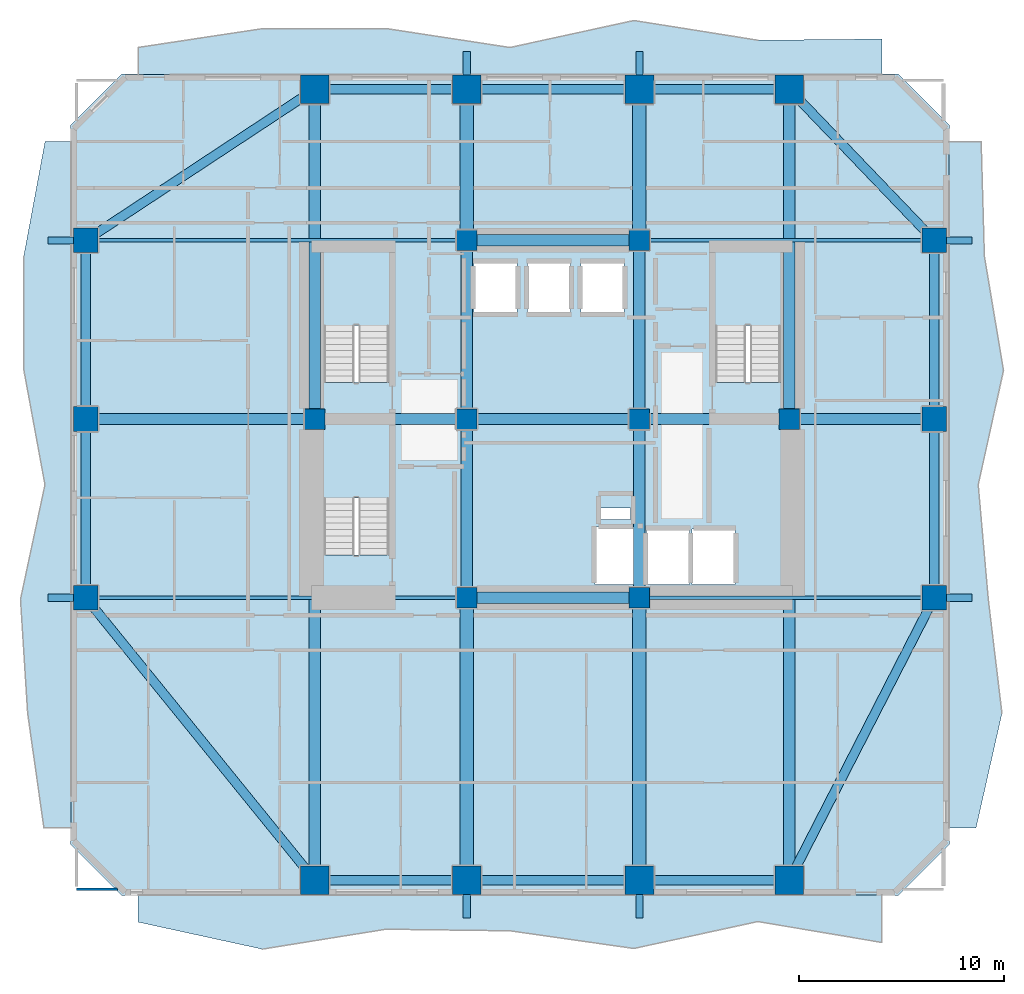
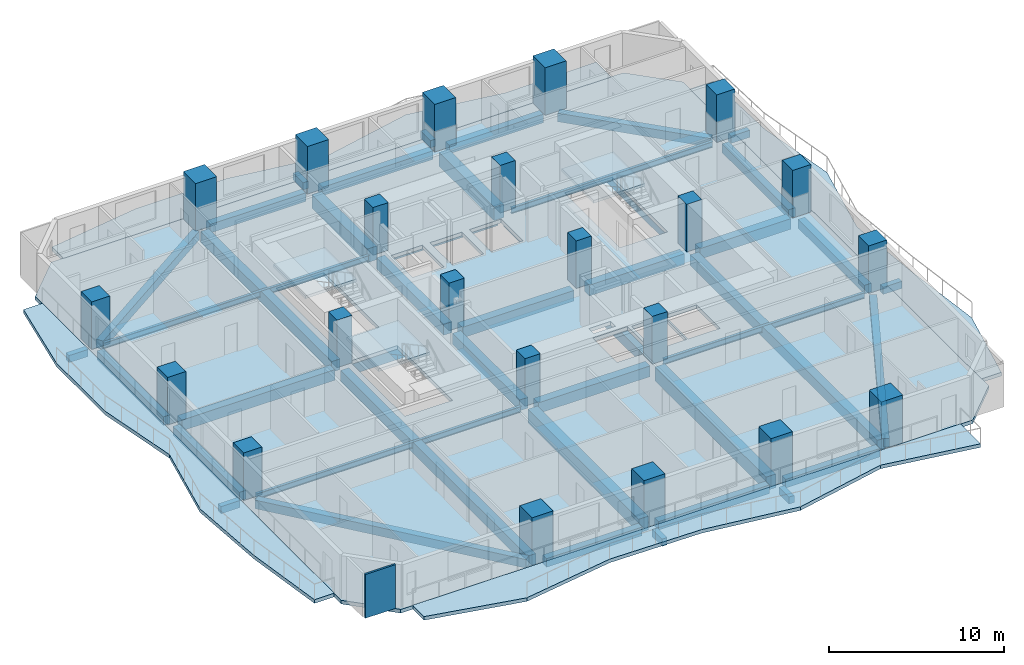
# One storey, part 1 of 11: 45 beams, 22 columns, 8 slabs, 1 wall, 3 elements without a shape of their own.
"""IFC4 building model written with IfcOpenShell, lengths in metres."""

from ifc_helpers import new_model, si_unit, direction, frame, frame_2d, origin, origin_2d, place, context, subcontext, project, spatial, polyline, rectangle, i_section, outline, extrude, material, layer, layer_set, material_profile, profile_set, type_object, element, aggregate, save


model = new_model("IFC4")

# Units and contexts
model_context = context("Model", 3, precision=1e-05, world=origin(), true_north=direction((0.0, 1.0)))
body_context = subcontext(model_context, "Body", "Model", "MODEL_VIEW")
ifc_project = project(units=[si_unit("LENGTHUNIT", "METRE"), si_unit("AREAUNIT", "SQUARE_METRE"), si_unit("VOLUMEUNIT", "CUBIC_METRE"), si_unit("PLANEANGLEUNIT", "RADIAN"), si_unit("MASSUNIT", "GRAM", prefix="KILO")], contexts=[model_context])

# Site, building, storey
site_placement = place(None, origin())
site = spatial("IfcSite", under=ifc_project, at=site_placement, CompositionType="ELEMENT")
building_placement = place(site_placement, origin())
building = spatial("IfcBuilding", under=site, at=building_placement, Name="Solanera Arch Residences", CompositionType="ELEMENT")
storey_placement = place(building_placement, frame((0.0, 0.0, 28.639892578125)))
storey = spatial("IfcBuildingStorey", under=building, at=storey_placement, Name="L07", CompositionType="ELEMENT", Elevation=28.639892578125)

# Columns
ifc_material_1 = material(Name="Concrete C55/67 (f'c = 60 MPa)", Category="concrete")
ifc_material_profile_1 = material_profile(ifc_material_1, rectangle(XDim=1.0, YDim=1.0, at=origin_2d()))
ifc_profile_set_1 = profile_set([ifc_material_profile_1], Name="Concrete C55/67 (f'c = 60 MPa)")
column_type_1 = type_object("IfcColumnType", Name="Structural Column RC-COL-1000X1000", PredefinedType="COLUMN", material=ifc_profile_set_1)
for number, where, z_axis, x_axis, name in (
    (1, (20.800048828125, 22.0, 0.0), (0.0, 0.0, 1.0), (1.0, 0.0, 0.0), "COL-L07-CB-SW"),
    (2, (29.199951171875, 22.0, 0.0), (0.0, 0.0, 1.0), (1.0, 0.0, 0.0), "COL-L07-CB-SE"),
    (3, (20.800048828125, 39.39990234375, 0.0), (0.0, 0.0, 1.0), (1.0, 0.0, 0.0), "COL-L07-CB-NW"),
    (4, (29.199951171875, 39.39990234375, 0.0), (0.0, 0.0, 1.0), (1.0, 0.0, 0.0), "COL-L07-CB-NE"),
    (5, (13.39990234375, 30.699951171875, 0.0), (0.0, 0.0, 1.0), (1.0, 0.0, 0.0), "COL-L07-CB-WW"),
    (6, (36.5, 30.699951171875, 0.0), (0.0, 0.0, 1.0), (1.0, 0.0, 0.0), "COL-L07-CB-EE"),
    (7, (20.800048828125, 30.699951171875, 0.0), (0.0, 0.0, 1.0), (1.0, 0.0, 0.0), "COL-L07-CORE-W"),
    (8, (29.199951171875, 30.699951171875, 0.0), (0.0, 0.0, 1.0), (1.0, 0.0, 0.0), "COL-L07-CORE-E"),
):
    element("IfcColumn", number, at=place(storey_placement, frame(where, z_axis=z_axis, x_axis=x_axis)), inside=storey, type_object=column_type_1, Name=name, PredefinedType="COLUMN", context=body_context, shape_type="SweptSolid", body=[
        extrude(rectangle(XDim=1.0, YDim=1.0, at=origin_2d()), origin(), (0.0, 0.0, 1.0), 3.320068359375),
    ])
ifc_material_2 = material(Name="Concrete C55/67 (f'c = 60 MPa)", Category="concrete")
ifc_material_profile_2 = material_profile(ifc_material_2, rectangle(XDim=1.199951171875, YDim=1.199951171875, at=origin_2d()))
ifc_profile_set_2 = profile_set([ifc_material_profile_2], Name="Concrete C55/67 (f'c = 60 MPa)")
column_type_2 = type_object("IfcColumnType", Name="Structural Column RC-COL-1200X1200", PredefinedType="COLUMN", material=ifc_profile_set_2)
for number, where, z_axis, x_axis, name in (
    (9, (2.25, 22.0, 0.0), (0.0, 0.0, 1.0), (1.0, 0.0, 0.0), "COL-L07-TWR-09"),
    (10, (43.550048828125, 22.0, 0.0), (0.0, 0.0, 1.0), (1.0, 0.0, 0.0), "COL-L07-TWR-10"),
    (11, (2.25, 30.699951171875, 0.0), (0.0, 0.0, 1.0), (1.0, 0.0, 0.0), "COL-L07-TWR-11"),
    (12, (43.550048828125, 30.699951171875, 0.0), (0.0, 0.0, 1.0), (1.0, 0.0, 0.0), "COL-L07-TWR-12"),
    (13, (2.25, 39.39990234375, 0.0), (0.0, 0.0, 1.0), (1.0, 0.0, 0.0), "COL-L07-TWR-13"),
    (14, (43.550048828125, 39.39990234375, 0.0), (0.0, 0.0, 1.0), (1.0, 0.0, 0.0), "COL-L07-TWR-14"),
):
    element("IfcColumn", number, at=place(storey_placement, frame(where, z_axis=z_axis, x_axis=x_axis)), inside=storey, type_object=column_type_2, Name=name, PredefinedType="COLUMN", context=body_context, shape_type="SweptSolid", body=[
        extrude(rectangle(XDim=1.199951171875, YDim=1.199951171875, at=origin_2d()), origin(), (0.0, 0.0, 1.0), 3.320068359375),
    ])
ifc_material_3 = material(Name="Concrete C55/67 (f'c = 60 MPa)", Category="concrete")
ifc_material_profile_3 = material_profile(ifc_material_3, rectangle(XDim=1.39990234375, YDim=1.39990234375, at=origin_2d()))
ifc_profile_set_3 = profile_set([ifc_material_profile_3], Name="Concrete C55/67 (f'c = 60 MPa)")
column_type_3 = type_object("IfcColumnType", Name="Structural Column RC-COL-1400X1400", PredefinedType="COLUMN", material=ifc_profile_set_3)
for number, where, z_axis, x_axis, name in (
    (15, (13.39990234375, 8.25, 0.0), (0.0, 0.0, 1.0), (1.0, 0.0, 0.0), "COL-L07-TWR-01"),
    (16, (13.39990234375, 46.75, 0.0), (0.0, 0.0, 1.0), (1.0, 0.0, 0.0), "COL-L07-TWR-02"),
    (17, (20.800048828125, 8.25, 0.0), (0.0, 0.0, 1.0), (1.0, 0.0, 0.0), "COL-L07-TWR-03"),
    (18, (20.800048828125, 46.75, 0.0), (0.0, 0.0, 1.0), (1.0, 0.0, 0.0), "COL-L07-TWR-04"),
    (19, (29.199951171875, 8.25, 0.0), (0.0, 0.0, 1.0), (1.0, 0.0, 0.0), "COL-L07-TWR-05"),
    (20, (29.199951171875, 46.75, 0.0), (0.0, 0.0, 1.0), (1.0, 0.0, 0.0), "COL-L07-TWR-06"),
    (21, (36.5, 8.25, 0.0), (0.0, 0.0, 1.0), (1.0, 0.0, 0.0), "COL-L07-TWR-07"),
    (22, (36.5, 46.75, 0.0), (0.0, 0.0, 1.0), (1.0, 0.0, 0.0), "COL-L07-TWR-08"),
):
    element("IfcColumn", number, at=place(storey_placement, frame(where, z_axis=z_axis, x_axis=x_axis)), inside=storey, type_object=column_type_3, Name=name, PredefinedType="COLUMN", context=body_context, shape_type="SweptSolid", body=[
        extrude(rectangle(XDim=1.39990234375, YDim=1.39990234375, at=origin_2d()), origin(), (0.0, 0.0, 1.0), 3.320068359375),
    ])

# Beams
ifc_material_4 = material(Name="Concrete C40/50 (f'c = 45 MPa)", Category="concrete")
ifc_material_profile_4 = material_profile(ifc_material_4, rectangle(XDim=0.35009765625, YDim=0.5, at=origin_2d()))
ifc_profile_set_4 = profile_set([ifc_material_profile_4], Name="Concrete C40/50 (f'c = 45 MPa)")
beam_type_1 = type_object("IfcBeamType", Name="BM-BALC-RIB", PredefinedType="BEAM", material=ifc_profile_set_4)
for number, where, z_axis, x_axis, name in (
    (23, (20.800048828125, 6.39990234375, -0.5), (0.0, 1.0, 0.0), (-1.0, 0.0, 0.0), "BM-L07-BRIB-S1"),
    (24, (29.199951171875, 6.39990234375, -0.5), (0.0, 1.0, 0.0), (-1.0, 0.0, 0.0), "BM-L07-BRIB-S2"),
    (25, (20.800048828125, 47.449951171875, -0.5), (0.0, 1.0, 0.0), (-1.0, 0.0, 0.0), "BM-L07-BRIB-N1"),
    (26, (29.199951171875, 47.449951171875, -0.5), (0.0, 1.0, 0.0), (-1.0, 0.0, 0.0), "BM-L07-BRIB-N2"),
):
    element("IfcBeam", number, at=place(storey_placement, frame(where, z_axis=z_axis, x_axis=x_axis)), inside=storey, type_object=beam_type_1, Name=name, PredefinedType="BEAM", context=body_context, shape_type="SweptSolid", body=[
        extrude(rectangle(XDim=0.35009765625, YDim=0.5, at=origin_2d()), origin(), (0.0, 0.0, 1.0), 1.150146484375),
    ])
for number, where, z_axis, x_axis, name in (
    (27, (44.14990234375, 22.0, -0.5), (1.0, 0.0, 0.0), (0.0, 1.0, 0.0), "BM-L07-BRIB-E1"),
    (28, (44.14990234375, 39.39990234375, -0.5), (1.0, 0.0, 0.0), (0.0, 1.0, 0.0), "BM-L07-BRIB-E2"),
    (29, (0.39990234375, 22.0, -0.5), (1.0, 0.0, 0.0), (0.0, 1.0, 0.0), "BM-L07-BRIB-W1"),
    (30, (0.39990234375, 39.39990234375, -0.5), (1.0, 0.0, 0.0), (0.0, 1.0, 0.0), "BM-L07-BRIB-W2"),
):
    element("IfcBeam", number, at=place(storey_placement, frame(where, z_axis=z_axis, x_axis=x_axis)), inside=storey, type_object=beam_type_1, Name=name, PredefinedType="BEAM", context=body_context, shape_type="SweptSolid", body=[
        extrude(rectangle(XDim=0.35009765625, YDim=0.5, at=origin_2d()), origin(), (0.0, 0.0, 1.0), 1.25),
    ])
ifc_material_5 = material(Name="Concrete C40/50 (f'c = 45 MPa)", Category="concrete")
ifc_material_profile_5 = material_profile(ifc_material_5, rectangle(XDim=0.550048828125, YDim=0.75, at=origin_2d()))
ifc_profile_set_5 = profile_set([ifc_material_profile_5], Name="Concrete C40/50 (f'c = 45 MPa)")
beam_type_2 = type_object("IfcBeamType", Name="Primary Beam RC-BM-550X750", PredefinedType="BEAM", material=ifc_profile_set_5)
beam_1_placement = place(storey_placement, frame((20.800048828125, 22.50390625, -0.635009765625), z_axis=(0.0, 1.0, 0.0), x_axis=(-1.0, 0.0, 0.0)))
element("IfcBeam", 31, at=beam_1_placement, inside=storey, type_object=beam_type_2, Name="BM-L07-CC-S-208", PredefinedType="BEAM", context=body_context, shape_type="SweptSolid", body=[
    extrude(rectangle(XDim=0.550048828125, YDim=0.75, at=origin_2d()), origin(), (0.0, 0.0, 1.0), 7.692138671875),
])
beam_2_placement = place(storey_placement, frame((20.800048828125, 31.2041015625, -0.635009765625), z_axis=(0.0, 1.0, 0.0), x_axis=(-1.0, 0.0, 0.0)))
element("IfcBeam", 32, at=beam_2_placement, inside=storey, type_object=beam_type_2, Name="BM-L07-CC-N-208", PredefinedType="BEAM", context=body_context, shape_type="SweptSolid", body=[
    extrude(rectangle(XDim=0.550048828125, YDim=0.75, at=origin_2d()), origin(), (0.0, 0.0, 1.0), 7.69189453125),
])
beam_3_placement = place(storey_placement, frame((29.199951171875, 22.50390625, -0.635009765625), z_axis=(0.0, 1.0, 0.0), x_axis=(-1.0, 0.0, 0.0)))
element("IfcBeam", 33, at=beam_3_placement, inside=storey, type_object=beam_type_2, Name="BM-L07-CC-S-292", PredefinedType="BEAM", context=body_context, shape_type="SweptSolid", body=[
    extrude(rectangle(XDim=0.550048828125, YDim=0.75, at=origin_2d()), origin(), (0.0, 0.0, 1.0), 7.692138671875),
])
beam_4_placement = place(storey_placement, frame((29.199951171875, 31.2041015625, -0.635009765625), z_axis=(0.0, 1.0, 0.0), x_axis=(-1.0, 0.0, 0.0)))
element("IfcBeam", 34, at=beam_4_placement, inside=storey, type_object=beam_type_2, Name="BM-L07-CC-N-292", PredefinedType="BEAM", context=body_context, shape_type="SweptSolid", body=[
    extrude(rectangle(XDim=0.550048828125, YDim=0.75, at=origin_2d()), origin(), (0.0, 0.0, 1.0), 7.69189453125),
])
for number, where, z_axis, x_axis, name in (
    (35, (21.303955078125, 22.0, -0.635009765625), (1.0, 0.0, 0.0), (0.0, 1.0, 0.0), "BM-L07-CC-M-220"),
    (36, (21.303955078125, 30.699951171875, -0.635009765625), (1.0, 0.0, 0.0), (0.0, 1.0, 0.0), "BM-L07-CC-M-307"),
    (37, (21.303955078125, 39.39990234375, -0.635009765625), (1.0, 0.0, 0.0), (0.0, 1.0, 0.0), "BM-L07-CC-M-394"),
):
    element("IfcBeam", number, at=place(storey_placement, frame(where, z_axis=z_axis, x_axis=x_axis)), inside=storey, type_object=beam_type_2, Name=name, PredefinedType="BEAM", context=body_context, shape_type="SweptSolid", body=[
        extrude(rectangle(XDim=0.550048828125, YDim=0.75, at=origin_2d()), origin(), (0.0, 0.0, 1.0), 7.39208984375),
    ])
beam_5_placement = place(storey_placement, frame((13.904052734375, 30.699951171875, -0.635009765625), z_axis=(1.0, 0.0, 0.0), x_axis=(0.0, 1.0, 0.0)))
element("IfcBeam", 38, at=beam_5_placement, inside=storey, type_object=beam_type_2, Name="BM-L07-CC-W", PredefinedType="BEAM", context=body_context, shape_type="SweptSolid", body=[
    extrude(rectangle(XDim=0.550048828125, YDim=0.75, at=origin_2d()), origin(), (0.0, 0.0, 1.0), 6.391845703125),
])
beam_6_placement = place(storey_placement, frame((29.7041015625, 30.699951171875, -0.635009765625), z_axis=(1.0, 0.0, 0.0), x_axis=(0.0, 1.0, 0.0)))
element("IfcBeam", 39, at=beam_6_placement, inside=storey, type_object=beam_type_2, Name="BM-L07-CC-E", PredefinedType="BEAM", context=body_context, shape_type="SweptSolid", body=[
    extrude(rectangle(XDim=0.550048828125, YDim=0.75, at=origin_2d()), origin(), (0.0, 0.0, 1.0), 6.2919921875),
])
beam_7_placement = place(storey_placement, frame((13.39990234375, 8.7900390625, -0.635009765625), z_axis=(0.0, 1.0, 0.0), x_axis=(-1.0, 0.0, 0.0)))
element("IfcBeam", 40, at=beam_7_placement, inside=storey, type_object=beam_type_2, Name="BM-L07-RAD-OS-134", PredefinedType="BEAM", context=body_context, shape_type="SweptSolid", body=[
    extrude(rectangle(XDim=0.550048828125, YDim=0.75, at=origin_2d()), origin(), (0.0, 0.0, 1.0), 21.406005859375),
])
beam_8_placement = place(storey_placement, frame((13.39990234375, 31.2041015625, -0.635009765625), z_axis=(0.0, 1.0, 0.0), x_axis=(-1.0, 0.0, 0.0)))
element("IfcBeam", 41, at=beam_8_placement, inside=storey, type_object=beam_type_2, Name="BM-L07-RAD-ON-134", PredefinedType="BEAM", context=body_context, shape_type="SweptSolid", body=[
    extrude(rectangle(XDim=0.550048828125, YDim=0.75, at=origin_2d()), origin(), (0.0, 0.0, 1.0), 15.005859375),
])
beam_9_placement = place(storey_placement, frame((36.5, 8.7900390625, -0.635009765625), z_axis=(0.0, 1.0, 0.0), x_axis=(-1.0, 0.0, 0.0)))
element("IfcBeam", 42, at=beam_9_placement, inside=storey, type_object=beam_type_2, Name="BM-L07-RAD-OS-365", PredefinedType="BEAM", context=body_context, shape_type="SweptSolid", body=[
    extrude(rectangle(XDim=0.550048828125, YDim=0.75, at=origin_2d()), origin(), (0.0, 0.0, 1.0), 21.406005859375),
])
beam_10_placement = place(storey_placement, frame((36.5, 31.2041015625, -0.635009765625), z_axis=(0.0, 1.0, 0.0), x_axis=(-1.0, 0.0, 0.0)))
element("IfcBeam", 43, at=beam_10_placement, inside=storey, type_object=beam_type_2, Name="BM-L07-RAD-ON-365", PredefinedType="BEAM", context=body_context, shape_type="SweptSolid", body=[
    extrude(rectangle(XDim=0.550048828125, YDim=0.75, at=origin_2d()), origin(), (0.0, 0.0, 1.0), 15.005859375),
])
beam_11_placement = place(storey_placement, frame((2.7900390625, 30.699951171875, -0.635009765625), z_axis=(1.0, 0.0, 0.0), x_axis=(0.0, 1.0, 0.0)))
element("IfcBeam", 44, at=beam_11_placement, inside=storey, type_object=beam_type_2, Name="BM-L07-RAD-MW", PredefinedType="BEAM", context=body_context, shape_type="SweptSolid", body=[
    extrude(rectangle(XDim=0.550048828125, YDim=0.75, at=origin_2d()), origin(), (0.0, 0.0, 1.0), 10.10595703125),
])
beam_12_placement = place(storey_placement, frame((37.00390625, 30.699951171875, -0.635009765625), z_axis=(1.0, 0.0, 0.0), x_axis=(0.0, 1.0, 0.0)))
element("IfcBeam", 45, at=beam_12_placement, inside=storey, type_object=beam_type_2, Name="BM-L07-RAD-ME", PredefinedType="BEAM", context=body_context, shape_type="SweptSolid", body=[
    extrude(rectangle(XDim=0.550048828125, YDim=0.75, at=origin_2d()), origin(), (0.0, 0.0, 1.0), 6.006103515625),
])
ifc_material_6 = material(Name="Concrete C40/50 (f'c = 45 MPa)", Category="concrete")
ifc_material_profile_6 = material_profile(ifc_material_6, rectangle(XDim=0.64990234375, YDim=0.949951171875, at=origin_2d()))
ifc_profile_set_6 = profile_set([ifc_material_profile_6], Name="Concrete C40/50 (f'c = 45 MPa)")
beam_type_3 = type_object("IfcBeamType", Name="Primary Beam RC-BM-650X950", PredefinedType="BEAM", material=ifc_profile_set_6)
beam_13_placement = place(storey_placement, frame((20.800048828125, 8.7900390625, -0.73486328125), z_axis=(0.0, 1.0, 0.0), x_axis=(-1.0, 0.0, 0.0)))
element("IfcBeam", 46, at=beam_13_placement, inside=storey, type_object=beam_type_3, Name="BM-L07-RAD-S-208", PredefinedType="BEAM", context=body_context, shape_type="SweptSolid", body=[
    extrude(rectangle(XDim=0.64990234375, YDim=0.949951171875, at=origin_2d()), origin(), (0.0, 0.0, 1.0), 12.7060546875),
])
beam_14_placement = place(storey_placement, frame((20.800048828125, 39.904052734375, -0.73486328125), z_axis=(0.0, 1.0, 0.0), x_axis=(-1.0, 0.0, 0.0)))
element("IfcBeam", 47, at=beam_14_placement, inside=storey, type_object=beam_type_3, Name="BM-L07-RAD-N-208", PredefinedType="BEAM", context=body_context, shape_type="SweptSolid", body=[
    extrude(rectangle(XDim=0.64990234375, YDim=0.949951171875, at=origin_2d()), origin(), (0.0, 0.0, 1.0), 6.305908203125),
])
beam_15_placement = place(storey_placement, frame((29.199951171875, 8.7900390625, -0.73486328125), z_axis=(0.0, 1.0, 0.0), x_axis=(-1.0, 0.0, 0.0)))
element("IfcBeam", 48, at=beam_15_placement, inside=storey, type_object=beam_type_3, Name="BM-L07-RAD-S-292", PredefinedType="BEAM", context=body_context, shape_type="SweptSolid", body=[
    extrude(rectangle(XDim=0.64990234375, YDim=0.949951171875, at=origin_2d()), origin(), (0.0, 0.0, 1.0), 12.7060546875),
])
beam_16_placement = place(storey_placement, frame((29.199951171875, 39.904052734375, -0.73486328125), z_axis=(0.0, 1.0, 0.0), x_axis=(-1.0, 0.0, 0.0)))
element("IfcBeam", 49, at=beam_16_placement, inside=storey, type_object=beam_type_3, Name="BM-L07-RAD-N-292", PredefinedType="BEAM", context=body_context, shape_type="SweptSolid", body=[
    extrude(rectangle(XDim=0.64990234375, YDim=0.949951171875, at=origin_2d()), origin(), (0.0, 0.0, 1.0), 6.305908203125),
])
ifc_material_7 = material(Name="Steel S355 (ASTM A992 / A572 Grade 50)", Category="steel")
ifc_material_profile_7 = material_profile(ifc_material_7, i_section(OverallWidth=0.178955078125, OverallDepth=0.409912109375, WebThickness=0.0087890625, FlangeThickness=0.014404296875, at=origin_2d()))
ifc_profile_set_7 = profile_set([ifc_material_profile_7], Name="Steel S355 (ASTM A992 / A572 Grade 50)")
beam_type_4 = type_object("IfcBeamType", Name="Secondary Joist W410X67", PredefinedType="JOIST", material=ifc_profile_set_7)
beam_17_placement = place(storey_placement, frame((2.7900390625, 22.0, -0.46484375), z_axis=(1.0, 0.0, 0.0), x_axis=(0.0, 1.0, 0.0)))
element("IfcBeam", 50, at=beam_17_placement, inside=storey, type_object=beam_type_4, Name="BM-L07-RAD-W-220", PredefinedType="JOIST", context=body_context, shape_type="SweptSolid", body=[
    extrude(i_section(OverallWidth=0.178955078125, OverallDepth=0.409912109375, WebThickness=0.0087890625, FlangeThickness=0.014404296875, at=origin_2d()), origin(), (0.0, 0.0, 1.0), 17.505859375),
])
beam_18_placement = place(storey_placement, frame((29.7041015625, 22.0, -0.46484375), z_axis=(1.0, 0.0, 0.0), x_axis=(0.0, 1.0, 0.0)))
element("IfcBeam", 51, at=beam_18_placement, inside=storey, type_object=beam_type_4, Name="BM-L07-RAD-E-220", PredefinedType="JOIST", context=body_context, shape_type="SweptSolid", body=[
    extrude(i_section(OverallWidth=0.178955078125, OverallDepth=0.409912109375, WebThickness=0.0087890625, FlangeThickness=0.014404296875, at=origin_2d()), origin(), (0.0, 0.0, 1.0), 13.305908203125),
])
beam_19_placement = place(storey_placement, frame((2.7900390625, 39.39990234375, -0.46484375), z_axis=(1.0, 0.0, 0.0), x_axis=(0.0, 1.0, 0.0)))
element("IfcBeam", 52, at=beam_19_placement, inside=storey, type_object=beam_type_4, Name="BM-L07-RAD-W-394", PredefinedType="JOIST", context=body_context, shape_type="SweptSolid", body=[
    extrude(i_section(OverallWidth=0.178955078125, OverallDepth=0.409912109375, WebThickness=0.0087890625, FlangeThickness=0.014404296875, at=origin_2d()), origin(), (0.0, 0.0, 1.0), 17.505859375),
])
beam_20_placement = place(storey_placement, frame((29.7041015625, 39.39990234375, -0.46484375), z_axis=(1.0, 0.0, 0.0), x_axis=(0.0, 1.0, 0.0)))
element("IfcBeam", 53, at=beam_20_placement, inside=storey, type_object=beam_type_4, Name="BM-L07-RAD-E-394", PredefinedType="JOIST", context=body_context, shape_type="SweptSolid", body=[
    extrude(i_section(OverallWidth=0.178955078125, OverallDepth=0.409912109375, WebThickness=0.0087890625, FlangeThickness=0.014404296875, at=origin_2d()), origin(), (0.0, 0.0, 1.0), 13.305908203125),
])
ifc_material_8 = material(Name="Concrete C40/50 (f'c = 45 MPa)", Category="concrete")
ifc_material_profile_8 = material_profile(ifc_material_8, rectangle(XDim=0.449951171875, YDim=0.60009765625, at=origin_2d()))
ifc_profile_set_8 = profile_set([ifc_material_profile_8], Name="Concrete C40/50 (f'c = 45 MPa)")
beam_type_5 = type_object("IfcBeamType", Name="Spandrel Beam RC-BM-450X600", PredefinedType="SPANDREL", material=ifc_profile_set_8)
for number, where, z_axis, x_axis, name in (
    (54, (13.93994140625, 8.25, -0.559814453125), (1.0, 0.0, 0.0), (0.0, 1.0, 0.0), "BM-L07-SPN-S-1"),
    (55, (13.93994140625, 46.75, -0.559814453125), (1.0, 0.0, 0.0), (0.0, 1.0, 0.0), "BM-L07-SPN-N-1"),
):
    element("IfcBeam", number, at=place(storey_placement, frame(where, z_axis=z_axis, x_axis=x_axis)), inside=storey, type_object=beam_type_5, Name=name, PredefinedType="SPANDREL", context=body_context, shape_type="SweptSolid", body=[
        extrude(rectangle(XDim=0.449951171875, YDim=0.60009765625, at=origin_2d()), origin(), (0.0, 0.0, 1.0), 6.320068359375),
    ])
for number, where, z_axis, x_axis, name in (
    (56, (21.340087890625, 8.25, -0.559814453125), (1.0, 0.0, 0.0), (0.0, 1.0, 0.0), "BM-L07-SPN-S-2"),
    (57, (21.340087890625, 46.75, -0.559814453125), (1.0, 0.0, 0.0), (0.0, 1.0, 0.0), "BM-L07-SPN-N-2"),
):
    element("IfcBeam", number, at=place(storey_placement, frame(where, z_axis=z_axis, x_axis=x_axis)), inside=storey, type_object=beam_type_5, Name=name, PredefinedType="SPANDREL", context=body_context, shape_type="SweptSolid", body=[
        extrude(rectangle(XDim=0.449951171875, YDim=0.60009765625, at=origin_2d()), origin(), (0.0, 0.0, 1.0), 7.31982421875),
    ])
for number, where, z_axis, x_axis, name in (
    (58, (29.739990234375, 8.25, -0.559814453125), (1.0, 0.0, 0.0), (0.0, 1.0, 0.0), "BM-L07-SPN-S-3"),
    (59, (29.739990234375, 46.75, -0.559814453125), (1.0, 0.0, 0.0), (0.0, 1.0, 0.0), "BM-L07-SPN-N-3"),
):
    element("IfcBeam", number, at=place(storey_placement, frame(where, z_axis=z_axis, x_axis=x_axis)), inside=storey, type_object=beam_type_5, Name=name, PredefinedType="SPANDREL", context=body_context, shape_type="SweptSolid", body=[
        extrude(rectangle(XDim=0.449951171875, YDim=0.60009765625, at=origin_2d()), origin(), (0.0, 0.0, 1.0), 6.219970703125),
    ])
for number, where, z_axis, x_axis, name in (
    (60, (2.25, 22.5400390625, -0.559814453125), (0.0, 1.0, 0.0), (-1.0, 0.0, 0.0), "BM-L07-SPN-W-1"),
    (61, (43.550048828125, 22.5400390625, -0.559814453125), (0.0, 1.0, 0.0), (-1.0, 0.0, 0.0), "BM-L07-SPN-E-1"),
):
    element("IfcBeam", number, at=place(storey_placement, frame(where, z_axis=z_axis, x_axis=x_axis)), inside=storey, type_object=beam_type_5, Name=name, PredefinedType="SPANDREL", context=body_context, shape_type="SweptSolid", body=[
        extrude(rectangle(XDim=0.449951171875, YDim=0.60009765625, at=origin_2d()), origin(), (0.0, 0.0, 1.0), 7.619873046875),
    ])
for number, where, z_axis, x_axis, name in (
    (62, (2.25, 31.239990234375, -0.559814453125), (0.0, 1.0, 0.0), (-1.0, 0.0, 0.0), "BM-L07-SPN-W-2"),
    (63, (43.550048828125, 31.239990234375, -0.559814453125), (0.0, 1.0, 0.0), (-1.0, 0.0, 0.0), "BM-L07-SPN-E-2"),
):
    element("IfcBeam", number, at=place(storey_placement, frame(where, z_axis=z_axis, x_axis=x_axis)), inside=storey, type_object=beam_type_5, Name=name, PredefinedType="SPANDREL", context=body_context, shape_type="SweptSolid", body=[
        extrude(rectangle(XDim=0.449951171875, YDim=0.60009765625, at=origin_2d()), origin(), (0.0, 0.0, 1.0), 7.6201171875),
    ])
beam_21_placement = place(storey_placement, frame((13.06005859375, 8.6689453125, -0.559814453125), z_axis=(-0.629827104297, 0.776735359497, 0.0), x_axis=(-0.776735359497, -0.629827104297, 0.0)))
element("IfcBeam", 64, at=beam_21_placement, inside=storey, type_object=beam_type_5, Name="BM-L07-SPN-SW", PredefinedType="SPANDREL", context=body_context, shape_type="SweptSolid", body=[
    extrude(rectangle(XDim=0.449951171875, YDim=0.60009765625, at=origin_2d()), origin(), (0.0, 0.0, 1.0), 16.62353515625),
])
beam_22_placement = place(storey_placement, frame((12.948974609375, 46.452880859375, -0.559814453125), z_axis=(-0.834903365048, -0.550396557976, 0.0), x_axis=(0.550396557976, -0.834903365048, 0.0)))
element("IfcBeam", 65, at=beam_22_placement, inside=storey, type_object=beam_type_5, Name="BM-L07-SPN-NW", PredefinedType="SPANDREL", context=body_context, shape_type="SweptSolid", body=[
    extrude(rectangle(XDim=0.449951171875, YDim=0.60009765625, at=origin_2d()), origin(), (0.0, 0.0, 1.0), 12.2744140625),
])
beam_23_placement = place(storey_placement, frame((36.74609375, 8.73095703125, -0.559814453125), z_axis=(0.456309404993, 0.889821176931, 0.0), x_axis=(-0.889821176931, 0.456309404993, 0.0)))
element("IfcBeam", 66, at=beam_23_placement, inside=storey, type_object=beam_type_5, Name="BM-L07-SPN-SE", PredefinedType="SPANDREL", context=body_context, shape_type="SweptSolid", body=[
    extrude(rectangle(XDim=0.449951171875, YDim=0.60009765625, at=origin_2d()), origin(), (0.0, 0.0, 1.0), 14.37158203125),
])
beam_24_placement = place(storey_placement, frame((36.8740234375, 46.360107421875, -0.559814453125), z_axis=(0.692230884532, -0.721676106366, 0.0), x_axis=(0.721676106366, 0.692230884532, 0.0)))
element("IfcBeam", 67, at=beam_24_placement, inside=storey, type_object=beam_type_5, Name="BM-L07-SPN-NE", PredefinedType="SPANDREL", context=body_context, shape_type="SweptSolid", body=[
    extrude(rectangle(XDim=0.449951171875, YDim=0.60009765625, at=origin_2d()), origin(), (0.0, 0.0, 1.0), 9.10400390625),
])

# Slabs
ifc_material_9 = material(Name="Concrete C40/50 (f'c = 45 MPa)", Category="concrete")
ifc_layer_1 = layer(ifc_material_9, 0.25)
ifc_layer_set_1 = layer_set([ifc_layer_1], Name="Concrete C40/50 (f'c = 45 MPa)")
slab_type_1 = type_object("IfcSlabType", Name="Balcony Slab 250", PredefinedType="FLOOR", material=ifc_layer_set_1)
slab_1_placement = place(storey_placement, frame((0.0, 0.0, -0.25)))
element("IfcSlab", 68, at=slab_1_placement, inside=storey, type_object=slab_type_1, Name="L07 S Rippling Brise-Soleil Balcony Slab", PredefinedType="FLOOR", context=body_context, shape_type="SweptSolid", body=[
    extrude(outline(polyline([(4.800048828125, 6.208984375), (10.8330078125, 4.89404296875), (16.866943359375, 5.865966796875), (22.89990234375, 5.7880859375), (28.93310546875, 4.927001953125), (34.967041015625, 6.238037109375), (41.0, 5.220947265625), (41.0, 7.52001953125), (4.800048828125, 7.52001953125), (4.800048828125, 6.208984375)])), origin(), (0.0, 0.0, 1.0), 0.25),
])
slab_2_placement = place(storey_placement, frame((0.0, 0.0, -0.25)))
element("IfcSlab", 69, at=slab_2_placement, inside=storey, type_object=slab_type_1, Name="L07 N Rippling Brise-Soleil Balcony Slab", PredefinedType="FLOOR", context=body_context, shape_type="SweptSolid", body=[
    extrude(outline(polyline([(41.0, 49.202880859375), (34.967041015625, 49.14306640625), (28.93310546875, 50.10302734375), (22.89990234375, 48.7880859375), (16.866943359375, 49.7119140625), (10.8330078125, 49.702880859375), (4.800048828125, 48.791015625), (4.800048828125, 47.47998046875), (41.0, 47.47998046875), (41.0, 49.202880859375)])), origin(), (0.0, 0.0, 1.0), 0.25),
])
slab_3_placement = place(storey_placement, frame((0.0, 0.0, -0.25)))
element("IfcSlab", 70, at=slab_3_placement, inside=storey, type_object=slab_type_1, Name="L07 E Rippling Brise-Soleil Balcony Slab", PredefinedType="FLOOR", context=body_context, shape_type="SweptSolid", body=[
    extrude(outline(polyline([(45.591064453125, 10.800048828125), (46.85009765625, 16.366943359375), (46.18408203125, 21.93310546875), (45.694091796875, 27.5), (46.926025390625, 33.06689453125), (45.993896484375, 38.633056640625), (45.837890625, 44.199951171875), (44.280029296875, 44.199951171875), (44.280029296875, 10.800048828125), (45.591064453125, 10.800048828125)])), origin(), (0.0, 0.0, 1.0), 0.25),
])
slab_4_placement = place(storey_placement, frame((0.0, 0.0, -0.25)))
element("IfcSlab", 71, at=slab_4_placement, inside=storey, type_object=slab_type_1, Name="L07 W Rippling Brise-Soleil Balcony Slab", PredefinedType="FLOOR", context=body_context, shape_type="SweptSolid", body=[
    extrude(outline(polyline([(0.263916015625, 44.199951171875), (-0.77099609375, 38.633056640625), (-0.761962890625, 33.06689453125), (0.262939453125, 27.5), (-0.928955078125, 21.93310546875), (-0.5791015625, 16.366943359375), (0.208984375, 10.800048828125), (1.52001953125, 10.800048828125), (1.52001953125, 44.199951171875), (0.263916015625, 44.199951171875)])), origin(), (0.0, 0.0, 1.0), 0.25),
])

# Stair, slab
ifc_material_10 = material(Name="Concrete C40/50 (f'c = 45 MPa)", Category="concrete")
stair_type = type_object("IfcStairType", Name="Tower Dogleg Exit Stair 1480", PredefinedType="HALF_TURN_STAIR", material=ifc_material_10)
stair_1_placement = place(storey_placement, origin())
stair_1 = element("IfcStair", 72, at=stair_1_placement, inside=storey, type_object=stair_type, Name="L07 Tower Core Exit Stair 1", PredefinedType="HALF_TURN_STAIR")
ifc_material_11 = material(Name="Concrete C40/50 (f'c = 45 MPa)", Category="concrete")
ifc_layer_2 = layer(ifc_material_11, 0.199951171875)
ifc_layer_set_2 = layer_set([ifc_layer_2], Name="Concrete C40/50 (f'c = 45 MPa)")
slab_type_2 = type_object("IfcSlabType", Name="Stair Half-Landing Slab 200", PredefinedType="LANDING", material=ifc_layer_set_2)
slab_5_placement = place(storey_placement, frame((0.0, 0.0, 1.460205078125)))
slab_5 = element("IfcSlab", 73, at=slab_5_placement, type_object=slab_type_2, Name="ST-T1 landing 1", PredefinedType="LANDING", context=body_context, shape_type="SweptSolid", body=[
    extrude(outline(polyline([(17.1201171875, 35.260009765625), (17.1201171875, 38.919921875), (13.719970703125, 38.919921875), (13.719970703125, 35.260009765625), (17.1201171875, 35.260009765625)])), origin(), (0.0, 0.0, 1.0), 0.199951171875),
])
aggregate(stair_1, [slab_5])

stair_2_placement = place(storey_placement, origin())
stair_2 = element("IfcStair", 74, at=stair_2_placement, inside=storey, type_object=stair_type, Name="L07 Tower Core Exit Stair 2", PredefinedType="HALF_TURN_STAIR")
slab_6_placement = place(storey_placement, frame((0.0, 0.0, 1.460205078125)))
slab_6 = element("IfcSlab", 75, at=slab_6_placement, type_object=slab_type_2, Name="ST-T2 landing 1", PredefinedType="LANDING", context=body_context, shape_type="SweptSolid", body=[
    extrude(outline(polyline([(36.179931640625, 35.260009765625), (36.179931640625, 38.919921875), (32.780029296875, 38.919921875), (32.780029296875, 35.260009765625), (36.179931640625, 35.260009765625)])), origin(), (0.0, 0.0, 1.0), 0.199951171875),
])
aggregate(stair_2, [slab_6])

stair_3_placement = place(storey_placement, origin())
stair_3 = element("IfcStair", 76, at=stair_3_placement, inside=storey, type_object=stair_type, Name="L07 Tower Core Exit Stair 3", PredefinedType="HALF_TURN_STAIR")
slab_7_placement = place(storey_placement, frame((0.0, 0.0, 1.460205078125)))
slab_7 = element("IfcSlab", 77, at=slab_7_placement, type_object=slab_type_2, Name="ST-T3 landing 1", PredefinedType="LANDING", context=body_context, shape_type="SweptSolid", body=[
    extrude(outline(polyline([(17.1201171875, 26.860107421875), (17.1201171875, 30.52001953125), (13.719970703125, 30.52001953125), (13.719970703125, 26.860107421875), (17.1201171875, 26.860107421875)])), origin(), (0.0, 0.0, 1.0), 0.199951171875),
])
aggregate(stair_3, [slab_7])

# Slab
ifc_material_12 = material(Name="Concrete C40/50 (f'c = 45 MPa)", Category="concrete")
ifc_layer_3 = layer(ifc_material_12, 0.260009765625)
ifc_layer_set_3 = layer_set([ifc_layer_3], Name="Concrete C40/50 (f'c = 45 MPa)")
slab_type_3 = type_object("IfcSlabType", Name="Suspended Floor Slab Post-Tensioned 260", PredefinedType="FLOOR", material=ifc_layer_set_3)
slab_8_placement = place(storey_placement, frame((0.0, 0.0, -0.260009765625)))
element("IfcSlab", 78, at=slab_8_placement, inside=storey, type_object=slab_type_3, Name="L07 Tower Post-Tensioned Floor Slab", PredefinedType="FLOOR", context=body_context, shape_type="SweptSolid", body=[
    extrude(outline(polyline([(4.0, 7.5), (41.800048828125, 7.5), (44.300048828125, 10.0), (44.300048828125, 45.0), (41.800048828125, 47.5), (4.0, 47.5), (1.5, 45.0), (1.5, 10.0), (4.0, 7.5)]), holes=[polyline([(13.840087890625, 32.48291015625), (13.840087890625, 38.800048828125), (17.0, 38.800048828125), (17.0, 32.48291015625), (13.840087890625, 32.48291015625)]), polyline([(32.89990234375, 32.48291015625), (32.89990234375, 38.800048828125), (36.06005859375, 38.800048828125), (36.06005859375, 32.48291015625), (32.89990234375, 32.48291015625)]), polyline([(13.840087890625, 24.0830078125), (13.840087890625, 30.39990234375), (17.0, 30.39990234375), (17.0, 24.0830078125), (13.840087890625, 24.0830078125)]), polyline([(21.14990234375, 38.35009765625), (23.25, 38.35009765625), (23.25, 35.85009765625), (21.14990234375, 35.85009765625), (21.14990234375, 38.35009765625)]), polyline([(23.75, 38.35009765625), (25.85009765625, 38.35009765625), (25.85009765625, 35.85009765625), (23.75, 35.85009765625), (23.75, 38.35009765625)]), polyline([(26.35009765625, 38.35009765625), (28.449951171875, 38.35009765625), (28.449951171875, 35.85009765625), (26.35009765625, 35.85009765625), (26.35009765625, 38.35009765625)]), polyline([(29.550048828125, 25.35009765625), (31.64990234375, 25.35009765625), (31.64990234375, 22.64990234375), (29.550048828125, 22.64990234375), (29.550048828125, 25.35009765625)]), polyline([(31.75, 25.35009765625), (33.85009765625, 25.35009765625), (33.85009765625, 22.64990234375), (31.75, 22.64990234375), (31.75, 25.35009765625)]), polyline([(27.050048828125, 25.449951171875), (29.35009765625, 25.449951171875), (29.35009765625, 22.64990234375), (27.050048828125, 22.64990234375), (27.050048828125, 25.449951171875)]), polyline([(27.340087890625, 26.3798828125), (28.760009765625, 26.3798828125), (28.760009765625, 25.820068359375), (27.340087890625, 25.820068359375), (27.340087890625, 26.3798828125)])]), origin(), (0.0, 0.0, 1.0), 0.260009765625),
])

# Wall
ifc_material_13 = material(Name="Fire-Rated Gypsum Stud Partition", Category="gypsum")
ifc_layer_4 = layer(ifc_material_13, 0.1201171875)
ifc_layer_set_4 = layer_set([ifc_layer_4], Name="Fire-Rated Gypsum Stud Partition")
wall_type = type_object("IfcWallType", Name="Unit Drywall Partition 120", PredefinedType="PARTITIONING", material=ifc_layer_set_4)
wall_placement = place(storey_placement, frame((1.800048828125, 7.800048828125, 0.0), z_axis=(0.0, 0.0, 1.0), x_axis=(1.0, 0.0, 0.0)))
element("IfcWall", 79, at=wall_placement, inside=storey, type_object=wall_type, Name="L07 Interior Partition H22 1", PredefinedType="PARTITIONING", context=body_context, shape_type="SweptSolid", body=[
    extrude(rectangle(XDim=2.0009765625, YDim=0.1201171875, at=frame_2d((1.00048828125, 0.0))), origin(), (0.0, 0.0, 1.0), 3.06005859375),
])

save(model, "model.ifc")
